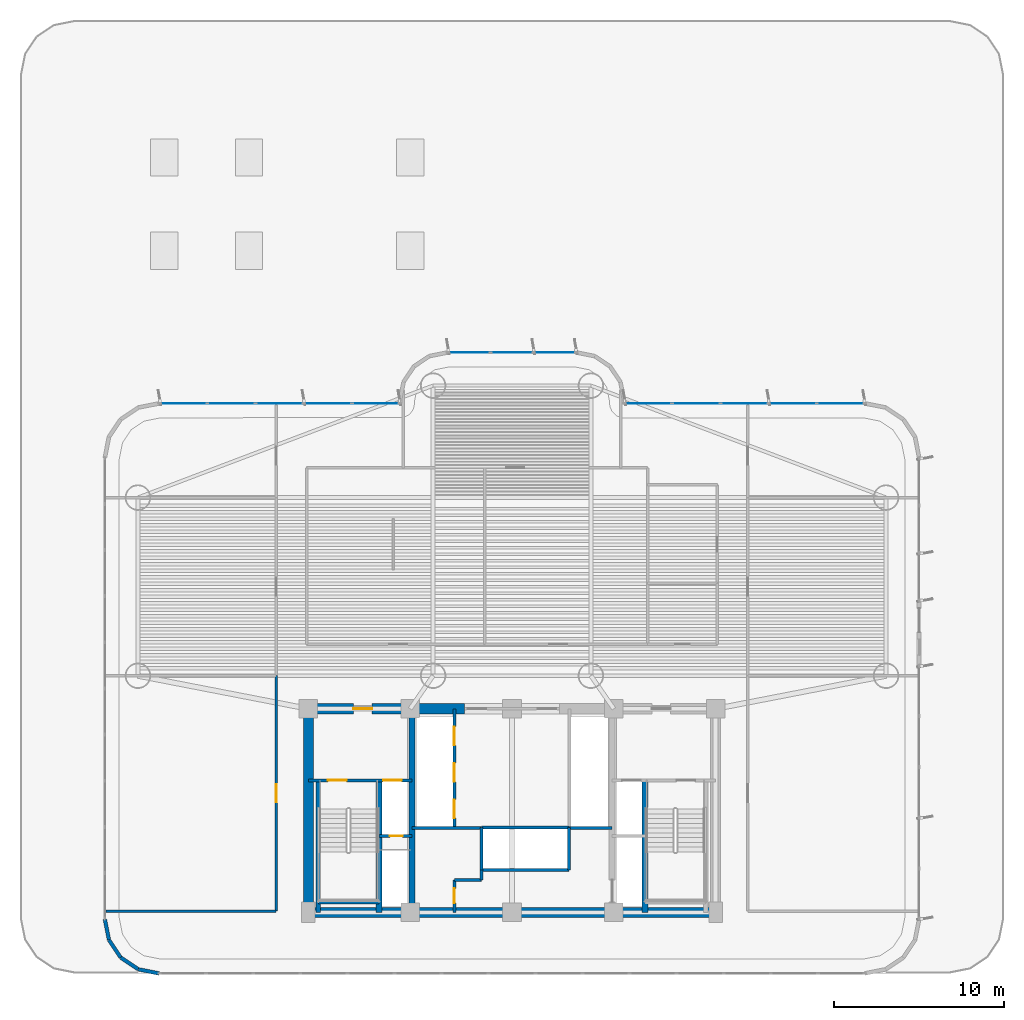
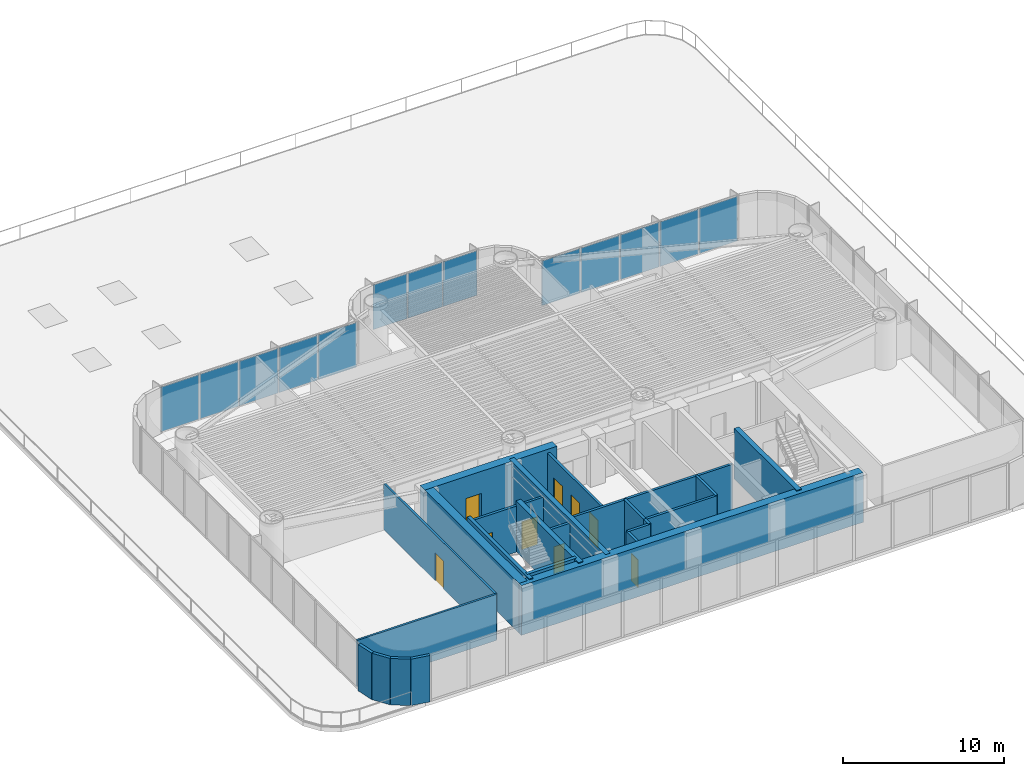
# One storey, part 10 of 17: 26 walls, 13 plates, 9 doors, 9 openings, 3 elements without a shape of their own.
"""IFC4 building model written with IfcOpenShell, lengths in metres."""

from ifc_helpers import new_model, si_unit, direction, frame, frame_2d, origin, origin_2d, place, context, subcontext, project, spatial, rectangle, extrude, source, transform, mapped, material, layer, layer_set, type_object, element, fill, aggregate, save


model = new_model("IFC4")

# Units and contexts
model_context = context("Model", 3, precision=1e-05, world=origin(), true_north=direction((0.0, 1.0)))
body_context = subcontext(model_context, "Body", "Model", "MODEL_VIEW")
ifc_project = project(units=[si_unit("LENGTHUNIT", "METRE"), si_unit("AREAUNIT", "SQUARE_METRE"), si_unit("VOLUMEUNIT", "CUBIC_METRE"), si_unit("PLANEANGLEUNIT", "RADIAN"), si_unit("MASSUNIT", "GRAM", prefix="KILO")], contexts=[model_context])

# Site, building, storey
site_placement = place(None, origin())
site = spatial("IfcSite", under=ifc_project, at=site_placement, CompositionType="ELEMENT")
building_placement = place(site_placement, origin())
building = spatial("IfcBuilding", under=site, at=building_placement, Name="Brelvock Crest Care Tower", CompositionType="ELEMENT")
storey_placement = place(building_placement, frame((0.0, 0.0, 27.0)))
storey = spatial("IfcBuildingStorey", under=building, at=storey_placement, Name="L06", CompositionType="ELEMENT", Elevation=27.0)

# Curtain wall, plates
ifc_material_1 = material(Name="Dark Glass Double Glazed Low-E", Category="glass")
ifc_layer_1 = layer(ifc_material_1, 0.195068359375, Name="CWS-2")
ifc_layer_set_1 = layer_set([ifc_layer_1], Name="Dark Glass Double Glazed Low-E")
curtain_wall_type = type_object("IfcCurtainWallType", Name="CWS-2", PredefinedType="NOTDEFINED", material=ifc_layer_set_1)
curtain_wall_1_placement = place(storey_placement, origin())
curtain_wall_1 = element("IfcCurtainWall", 1, at=curtain_wall_1_placement, inside=storey, type_object=curtain_wall_type, Name="L06 Curtain Wall E18", PredefinedType="NOTDEFINED")
ifc_layer_2 = layer(ifc_material_1, 0.031982421875, Name="CWP-V1")
ifc_layer_set_2 = layer_set([ifc_layer_2], Name="Dark Glass Double Glazed Low-E")
plate_type = type_object("IfcPlateType", Name="CWP-V1", PredefinedType="CURTAIN_PANEL", material=ifc_layer_set_2)
shared_shape_1 = source(origin(), body_context, "Body", "SweptSolid", [
    extrude(rectangle(XDim=2.742431640625, YDim=0.035888671875, at=origin_2d()), origin(), (0.0, 0.0, 1.0), 3.39990234375),
])
plate_1_placement = place(storey_placement, frame((16.63623046875, 36.0, 0.06494140625), z_axis=(0.0, 0.0, 1.0), x_axis=(1.0, 0.0, 0.0)))
plate_1 = element("IfcPlate", 2, at=plate_1_placement, type_object=plate_type, Name="CW-2 panel 1.1", PredefinedType="CURTAIN_PANEL", context=body_context, shape_type="MappedRepresentation", body=[
    mapped(shared_shape_1, transform((0.0, 0.0, 0.0), x_axis=(1.0, 0.0, 0.0), y_axis=(0.0, 1.0, 0.0), z_axis=(0.0, 0.0, 1.0), scale=1.0)),
])
plate_2_placement = place(storey_placement, frame((27.9638671875, 36.0, 0.06494140625), z_axis=(0.0, 0.0, 1.0), x_axis=(1.0, 0.0, 0.0)))
plate_2 = element("IfcPlate", 3, at=plate_2_placement, type_object=plate_type, Name="CW-2 panel 5.1", PredefinedType="CURTAIN_PANEL", context=body_context, shape_type="MappedRepresentation", body=[
    mapped(shared_shape_1, transform((0.0, 0.0, 0.0), x_axis=(1.0, 0.0, 0.0), y_axis=(0.0, 1.0, 0.0), z_axis=(0.0, 0.0, 1.0), scale=1.0)),
])

curtain_wall_2_placement = place(storey_placement, origin())
curtain_wall_2 = element("IfcCurtainWall", 4, at=curtain_wall_2_placement, inside=storey, type_object=curtain_wall_type, Name="L06 Curtain Wall E30", PredefinedType="NOTDEFINED")
plate_3_placement = place(storey_placement, frame((44.0361328125, 36.0, 0.06494140625), z_axis=(0.0, 0.0, 1.0), x_axis=(1.0, 0.0, 0.0)))
plate_3 = element("IfcPlate", 5, at=plate_3_placement, type_object=plate_type, Name="CW-2 panel 1.1", PredefinedType="CURTAIN_PANEL", context=body_context, shape_type="MappedRepresentation", body=[
    mapped(shared_shape_1, transform((0.0, 0.0, 0.0), x_axis=(1.0, 0.0, 0.0), y_axis=(0.0, 1.0, 0.0), z_axis=(0.0, 0.0, 1.0), scale=1.0)),
])
plate_4_placement = place(storey_placement, frame((55.36376953125, 36.0, 0.06494140625), z_axis=(0.0, 0.0, 1.0), x_axis=(1.0, 0.0, 0.0)))
plate_4 = element("IfcPlate", 6, at=plate_4_placement, type_object=plate_type, Name="CW-2 panel 5.1", PredefinedType="CURTAIN_PANEL", context=body_context, shape_type="MappedRepresentation", body=[
    mapped(shared_shape_1, transform((0.0, 0.0, 0.0), x_axis=(1.0, 0.0, 0.0), y_axis=(0.0, 1.0, 0.0), z_axis=(0.0, 0.0, 1.0), scale=1.0)),
])

# Plate
shared_shape_2 = source(origin(), body_context, "Body", "SweptSolid", [
    extrude(rectangle(XDim=2.77490234375, YDim=0.035888671875, at=origin_2d()), origin(), (0.0, 0.0, 1.0), 3.39990234375),
])
plate_5_placement = place(storey_placement, frame((19.4599609375, 36.0, 0.06494140625), z_axis=(0.0, 0.0, 1.0), x_axis=(1.0, 0.0, 0.0)))
plate_5 = element("IfcPlate", 7, at=plate_5_placement, type_object=plate_type, Name="CW-2 panel 2.1", PredefinedType="CURTAIN_PANEL", context=body_context, shape_type="MappedRepresentation", body=[
    mapped(shared_shape_2, transform((0.0, 0.0, 0.0), x_axis=(1.0, 0.0, 0.0), y_axis=(0.0, 1.0, 0.0), z_axis=(0.0, 0.0, 1.0), scale=1.0)),
])

plate_6_placement = place(storey_placement, frame((22.300048828125, 36.0, 0.06494140625), z_axis=(0.0, 0.0, 1.0), x_axis=(1.0, 0.0, 0.0)))
plate_6 = element("IfcPlate", 8, at=plate_6_placement, type_object=plate_type, Name="CW-2 panel 3.1", PredefinedType="CURTAIN_PANEL", context=body_context, shape_type="MappedRepresentation", body=[
    mapped(shared_shape_2, transform((0.0, 0.0, 0.0), x_axis=(1.0, 0.0, 0.0), y_axis=(0.0, 1.0, 0.0), z_axis=(0.0, 0.0, 1.0), scale=1.0)),
])

plate_7_placement = place(storey_placement, frame((25.139892578125, 36.0, 0.06494140625), z_axis=(0.0, 0.0, 1.0), x_axis=(1.0, 0.0, 0.0)))
plate_7 = element("IfcPlate", 9, at=plate_7_placement, type_object=plate_type, Name="CW-2 panel 4.1", PredefinedType="CURTAIN_PANEL", context=body_context, shape_type="MappedRepresentation", body=[
    mapped(shared_shape_2, transform((0.0, 0.0, 0.0), x_axis=(1.0, 0.0, 0.0), y_axis=(0.0, 1.0, 0.0), z_axis=(0.0, 0.0, 1.0), scale=1.0)),
])

aggregate(curtain_wall_1, [plate_1, plate_5, plate_6, plate_7, plate_2])

plate_8_placement = place(storey_placement, frame((46.860107421875, 36.0, 0.06494140625), z_axis=(0.0, 0.0, 1.0), x_axis=(1.0, 0.0, 0.0)))
plate_8 = element("IfcPlate", 10, at=plate_8_placement, type_object=plate_type, Name="CW-2 panel 2.1", PredefinedType="CURTAIN_PANEL", context=body_context, shape_type="MappedRepresentation", body=[
    mapped(shared_shape_2, transform((0.0, 0.0, 0.0), x_axis=(1.0, 0.0, 0.0), y_axis=(0.0, 1.0, 0.0), z_axis=(0.0, 0.0, 1.0), scale=1.0)),
])

plate_9_placement = place(storey_placement, frame((49.699951171875, 36.0, 0.06494140625), z_axis=(0.0, 0.0, 1.0), x_axis=(1.0, 0.0, 0.0)))
plate_9 = element("IfcPlate", 11, at=plate_9_placement, type_object=plate_type, Name="CW-2 panel 3.1", PredefinedType="CURTAIN_PANEL", context=body_context, shape_type="MappedRepresentation", body=[
    mapped(shared_shape_2, transform((0.0, 0.0, 0.0), x_axis=(1.0, 0.0, 0.0), y_axis=(0.0, 1.0, 0.0), z_axis=(0.0, 0.0, 1.0), scale=1.0)),
])

plate_10_placement = place(storey_placement, frame((52.5400390625, 36.0, 0.06494140625), z_axis=(0.0, 0.0, 1.0), x_axis=(1.0, 0.0, 0.0)))
plate_10 = element("IfcPlate", 12, at=plate_10_placement, type_object=plate_type, Name="CW-2 panel 4.1", PredefinedType="CURTAIN_PANEL", context=body_context, shape_type="MappedRepresentation", body=[
    mapped(shared_shape_2, transform((0.0, 0.0, 0.0), x_axis=(1.0, 0.0, 0.0), y_axis=(0.0, 1.0, 0.0), z_axis=(0.0, 0.0, 1.0), scale=1.0)),
])

aggregate(curtain_wall_2, [plate_3, plate_8, plate_9, plate_10, plate_4])

# Curtain wall, plates
curtain_wall_3_placement = place(storey_placement, origin())
curtain_wall_3 = element("IfcCurtainWall", 13, at=curtain_wall_3_placement, inside=storey, type_object=curtain_wall_type, Name="L06 Curtain Wall E24", PredefinedType="NOTDEFINED")
shared_shape_3 = source(origin(), body_context, "Body", "SweptSolid", [
    extrude(rectangle(XDim=2.435791015625, YDim=0.035888671875, at=origin_2d()), origin(), (0.0, 0.0, 1.0), 3.39990234375),
])
plate_11_placement = place(storey_placement, frame((33.48291015625, 39.0, 0.06494140625), z_axis=(0.0, 0.0, 1.0), x_axis=(1.0, 0.0, 0.0)))
plate_11 = element("IfcPlate", 14, at=plate_11_placement, type_object=plate_type, Name="CW-2 panel 1.1", PredefinedType="CURTAIN_PANEL", context=body_context, shape_type="MappedRepresentation", body=[
    mapped(shared_shape_3, transform((0.0, 0.0, 0.0), x_axis=(1.0, 0.0, 0.0), y_axis=(0.0, 1.0, 0.0), z_axis=(0.0, 0.0, 1.0), scale=1.0)),
])
plate_12_placement = place(storey_placement, frame((38.51708984375, 39.0, 0.06494140625), z_axis=(0.0, 0.0, 1.0), x_axis=(1.0, 0.0, 0.0)))
plate_12 = element("IfcPlate", 15, at=plate_12_placement, type_object=plate_type, Name="CW-2 panel 3.1", PredefinedType="CURTAIN_PANEL", context=body_context, shape_type="MappedRepresentation", body=[
    mapped(shared_shape_3, transform((0.0, 0.0, 0.0), x_axis=(1.0, 0.0, 0.0), y_axis=(0.0, 1.0, 0.0), z_axis=(0.0, 0.0, 1.0), scale=1.0)),
])
shared_shape_4 = source(origin(), body_context, "Body", "SweptSolid", [
    extrude(rectangle(XDim=2.46826171875, YDim=0.035888671875, at=origin_2d()), origin(), (0.0, 0.0, 1.0), 3.39990234375),
])
plate_13_placement = place(storey_placement, frame((36.0, 39.0, 0.06494140625), z_axis=(0.0, 0.0, 1.0), x_axis=(1.0, 0.0, 0.0)))
plate_13 = element("IfcPlate", 16, at=plate_13_placement, type_object=plate_type, Name="CW-2 panel 2.1", PredefinedType="CURTAIN_PANEL", context=body_context, shape_type="MappedRepresentation", body=[
    mapped(shared_shape_4, transform((0.0, 0.0, 0.0), x_axis=(1.0, 0.0, 0.0), y_axis=(0.0, 1.0, 0.0), z_axis=(0.0, 0.0, 1.0), scale=1.0)),
])
aggregate(curtain_wall_3, [plate_11, plate_13, plate_12])

# Walls
ifc_material_2 = material(Name="Concrete S80 (80 MPa)", Category="concrete")
ifc_layer_3 = layer(ifc_material_2, 0.60009765625, Name="WL-CS1")
ifc_layer_set_3 = layer_set([ifc_layer_3], Name="Concrete S80 (80 MPa)")
wall_type_1 = type_object("IfcWallType", Name="WL-CS1", PredefinedType="SHEAR", material=ifc_layer_set_3)
wall_1_placement = place(storey_placement, frame((48.300048828125, 6.0, 0.0), z_axis=(0.0, 0.0, 1.0), x_axis=(-1.0, 0.0, 0.0)))
element("IfcWall", 17, at=wall_1_placement, inside=storey, type_object=wall_type_1, Name="L06 Core South Shear Wall", PredefinedType="SHEAR", context=body_context, shape_type="SweptSolid", body=[
    extrude(rectangle(XDim=24.60009765625, YDim=0.60009765625, at=frame_2d((12.300048828125, 0.0))), origin(), (0.0, 0.0, 1.0), 3.780029296875),
])
wall_2_placement = place(storey_placement, frame((24.0, 6.0, 0.0), z_axis=(0.0, 0.0, 1.0), x_axis=(0.0, 1.0, 0.0)))
element("IfcWall", 18, at=wall_2_placement, inside=storey, type_object=wall_type_1, Name="L06 Core West Shear Wall", PredefinedType="SHEAR", context=body_context, shape_type="SweptSolid", body=[
    extrude(rectangle(XDim=12.0, YDim=0.60009765625, at=frame_2d((6.0, 0.0))), origin(), (0.0, 0.0, 1.0), 3.780029296875),
])

# Wall, opening, door
wall_3_placement = place(storey_placement, frame((23.699951171875, 18.0, 0.0), z_axis=(0.0, 0.0, 1.0), x_axis=(1.0, 0.0, 0.0)))
wall_3 = element("IfcWall", 19, at=wall_3_placement, inside=storey, type_object=wall_type_1, Name="L06 Core North-West Shear Wall", PredefinedType="SHEAR", context=body_context, shape_type="SweptSolid", body=[
    extrude(rectangle(XDim=9.5, YDim=0.60009765625, at=frame_2d((4.75, 0.0))), origin(), (0.0, 0.0, 1.0), 3.780029296875),
])
opening_1_placement = place(wall_3_placement, frame((2.949951171875, 0.0, 0.0)))
opening_1 = element("IfcOpeningElement", 20, at=opening_1_placement, cuts=wall_3, Name="Opening FD-1", PredefinedType="OPENING", context=body_context, shape_type="SweptSolid", body=[
    extrude(rectangle(XDim=1.10009765625, YDim=2.10009765625, at=origin_2d()), frame((0.550048828125, 0.31005859375, 1.050048828125), z_axis=(0.0, -1.0, 0.0), x_axis=(1.0, 0.0, 0.0)), (0.0, 0.0, 1.0), 0.6201171875),
])
ifc_material_3 = material(Name="Steel Grade 350", Category="steel")
door_type_1 = type_object("IfcDoorType", Name="DR-FFL1", OperationType="NOTDEFINED", PredefinedType="DOOR", material=ifc_material_3)
shared_shape_5 = source(origin(), body_context, "Body", "SweptSolid", [
    extrude(rectangle(XDim=1.10009765625, YDim=2.10009765625, at=origin_2d()), frame((0.550048828125, 0.02490234375, 1.050048828125), z_axis=(0.0, -1.0, 0.0), x_axis=(1.0, 0.0, 0.0)), (0.0, 0.0, 1.0), 0.050048828125),
])
door_1_placement = place(opening_1_placement, origin())
door_1 = element("IfcDoor", 21, at=door_1_placement, inside=storey, type_object=door_type_1, Name="L06 Firefighting Lobby FFL-1 Exit Door", OperationType="SINGLE_SWING_LEFT", OverallHeight=2.10009765625, OverallWidth=1.10009765625, PredefinedType="DOOR", context=body_context, shape_type="MappedRepresentation", body=[
    mapped(shared_shape_5, transform((0.0, 0.0, 0.0), x_axis=(1.0, 0.0, 0.0), y_axis=(0.0, 1.0, 0.0), z_axis=(0.0, 0.0, 1.0), scale=1.0)),
])
fill(opening_1, door_1)

# Walls
ifc_layer_4 = layer(ifc_material_2, 0.35009765625, Name="WL-CS5")
ifc_layer_set_4 = layer_set([ifc_layer_4], Name="Concrete S80 (80 MPa)")
wall_type_2 = type_object("IfcWallType", Name="WL-CS5", PredefinedType="SHEAR", material=ifc_layer_set_4)
wall_4_placement = place(storey_placement, frame((30.10009765625, 6.0, 0.0), z_axis=(0.0, 0.0, 1.0), x_axis=(0.0, 1.0, 0.0)))
element("IfcWall", 22, at=wall_4_placement, inside=storey, type_object=wall_type_2, Name="L06 Core Internal Web Wall West", PredefinedType="SHEAR", context=body_context, shape_type="SweptSolid", body=[
    extrude(rectangle(XDim=12.0, YDim=0.35009765625, at=frame_2d((6.0, 0.0))), origin(), (0.0, 0.0, 1.0), 3.780029296875),
])
for number, where, z_axis, x_axis, name in (
    (23, (28.14990234375, 6.0, 0.0), (0.0, 0.0, 1.0), (0.0, 1.0, 0.0), "L06 Core Stair ST-1 East Shear Wall"),
    (24, (43.85009765625, 6.0, 0.0), (0.0, 0.0, 1.0), (0.0, 1.0, 0.0), "L06 Core Stair ST-2 West Shear Wall"),
):
    element("IfcWall", number, at=place(storey_placement, frame(where, z_axis=z_axis, x_axis=x_axis)), inside=storey, type_object=wall_type_2, Name=name, PredefinedType="SHEAR", context=body_context, shape_type="SweptSolid", body=[
        extrude(rectangle(XDim=7.780029296875, YDim=0.35009765625, at=frame_2d((3.89013671875, 0.0))), origin(), (0.0, 0.0, 1.0), 3.85009765625),
    ])
ifc_layer_5 = layer(ifc_material_2, 0.25, Name="WL-CS6")
ifc_layer_set_5 = layer_set([ifc_layer_5], Name="Concrete S80 (80 MPa)")
wall_type_3 = type_object("IfcWallType", Name="WL-CS6", PredefinedType="SHEAR", material=ifc_layer_set_5)
wall_5_placement = place(storey_placement, frame((24.580078125, 6.0, 0.0), z_axis=(0.0, 0.0, 1.0), x_axis=(0.0, 1.0, 0.0)))
element("IfcWall", 25, at=wall_5_placement, inside=storey, type_object=wall_type_3, Name="L06 Core Stair ST-1 West Shear Wall", PredefinedType="SHEAR", context=body_context, shape_type="SweptSolid", body=[
    extrude(rectangle(XDim=7.780029296875, YDim=0.25, at=frame_2d((3.89013671875, 0.0))), origin(), (0.0, 0.0, 1.0), 3.85009765625),
])
wall_6_placement = place(storey_placement, frame((24.580078125, 6.6201171875, 0.0), z_axis=(0.0, 0.0, 1.0), x_axis=(1.0, 0.0, 0.0)))
element("IfcWall", 26, at=wall_6_placement, inside=storey, type_object=wall_type_3, Name="L06 Core Stair ST-1 South Shear Wall", PredefinedType="SHEAR", context=body_context, shape_type="SweptSolid", body=[
    extrude(rectangle(XDim=3.56982421875, YDim=0.25, at=frame_2d((1.784912109375, 0.0))), origin(), (0.0, 0.0, 1.0), 3.85009765625),
])
ifc_material_4 = material(Name="Precast concrete N40 (40 MPa)", Category="concrete")
ifc_layer_6 = layer(ifc_material_4, 0.215087890625, Name="WL-EX2")
ifc_layer_set_6 = layer_set([ifc_layer_6], Name="Precast concrete N40 (40 MPa)")
wall_type_4 = type_object("IfcWallType", Name="WL-EX2", PredefinedType="SOLIDWALL", material=ifc_layer_set_6)
for number, where, z_axis, x_axis, name in (
    (27, (15.199951171875, 2.39990234375, 0.0), (0.0, 0.0, 1.0), (-0.980775717779, 0.195138390419, 0.0), "L06 Rounded Corner Wall 09"),
    (28, (13.975341796875, 2.6435546875, 0.0), (0.0, 0.0, 1.0), (-0.831387912822, 0.555692485475, 0.0), "L06 Rounded Corner Wall 10"),
    (29, (12.937255859375, 3.33740234375, 0.0), (0.0, 0.0, 1.0), (-0.555557312883, 0.831478245117, 0.0), "L06 Rounded Corner Wall 11"),
    (30, (12.24365234375, 4.37548828125, 0.0), (0.0, 0.0, 1.0), (-0.195138390419, 0.980775717779, 0.0), "L06 Rounded Corner Wall 12"),
):
    element("IfcWall", number, at=place(storey_placement, frame(where, z_axis=z_axis, x_axis=x_axis)), inside=storey, type_object=wall_type_4, Name=name, PredefinedType="SOLIDWALL", context=body_context, shape_type="SweptSolid", body=[
        extrude(rectangle(XDim=1.24853515625, YDim=0.215087890625, at=frame_2d((0.624267578125, 0.0))), origin(), (0.0, 0.0, 1.0), 3.530029296875),
    ])
ifc_material_5 = material(Name="Masonry Blockwork Acoustic Partition", Category="masonry")
ifc_layer_7 = layer(ifc_material_5, 0.14990234375, Name="WL-INT1")
ifc_layer_set_7 = layer_set([ifc_layer_7], Name="Masonry Blockwork Acoustic Partition")
wall_type_5 = type_object("IfcWallType", Name="WL-INT1", PredefinedType="PARTITIONING", material=ifc_layer_set_7)
wall_7_placement = place(storey_placement, frame((12.080078125, 6.080078125, 0.0), z_axis=(0.0, 0.0, 1.0), x_axis=(1.0, 0.0, 0.0)))
element("IfcWall", 31, at=wall_7_placement, inside=storey, type_object=wall_type_5, Name="L06 Interior Wall WL-BX-L06-WWL1-S", PredefinedType="PARTITIONING", context=body_context, shape_type="SweptSolid", body=[
    extrude(rectangle(XDim=10.02001953125, YDim=0.14990234375, at=frame_2d((5.010009765625, 0.0))), origin(), (0.0, 0.0, 1.0), 3.5),
])

# Wall, opening, door
wall_8_placement = place(storey_placement, frame((22.10009765625, 6.080078125, 0.0), z_axis=(0.0, 0.0, 1.0), x_axis=(0.0, 1.0, 0.0)))
wall_8 = element("IfcWall", 32, at=wall_8_placement, inside=storey, type_object=wall_type_5, Name="L06 Interior Wall WL-RM-L06-WWL1", PredefinedType="PARTITIONING", context=body_context, shape_type="SweptSolid", body=[
    extrude(rectangle(XDim=13.869873046875, YDim=0.14990234375, at=frame_2d((6.93505859375, 0.0))), origin(), (0.0, 0.0, 1.0), 3.5),
])
opening_2_placement = place(wall_8_placement, frame((6.409912109375, 0.0, 0.0)))
opening_2 = element("IfcOpeningElement", 33, at=opening_2_placement, cuts=wall_8, Name="Opening CLD-1", PredefinedType="OPENING", context=body_context, shape_type="SweptSolid", body=[
    extrude(rectangle(XDim=1.050048828125, YDim=2.10009765625, at=origin_2d()), frame((0.52490234375, 0.0849609375, 1.050048828125), z_axis=(0.0, -1.0, 0.0), x_axis=(1.0, 0.0, 0.0)), (0.0, 0.0, 1.0), 0.169921875),
])
ifc_material_6 = material(Name="Engineered Hardwood Timber", Category="wood")
door_type_2 = type_object("IfcDoorType", Name="DR-CLN1", OperationType="NOTDEFINED", PredefinedType="DOOR", material=ifc_material_6)
shared_shape_6 = source(origin(), body_context, "Body", "SweptSolid", [
    extrude(rectangle(XDim=1.050048828125, YDim=2.10009765625, at=origin_2d()), frame((0.52490234375, 0.02490234375, 1.050048828125), z_axis=(0.0, -1.0, 0.0), x_axis=(1.0, 0.0, 0.0)), (0.0, 0.0, 1.0), 0.050048828125),
])
door_2_placement = place(opening_2_placement, origin())
door_2 = element("IfcDoor", 34, at=door_2_placement, inside=storey, type_object=door_type_2, Name="L06 Hydro-Balance Rehabilitation Clinic Door WWL1", OperationType="SINGLE_SWING_LEFT", OverallHeight=2.10009765625, OverallWidth=1.050048828125, PredefinedType="DOOR", context=body_context, shape_type="MappedRepresentation", body=[
    mapped(shared_shape_6, transform((0.0, 0.0, 0.0), x_axis=(1.0, 0.0, 0.0), y_axis=(0.0, 1.0, 0.0), z_axis=(0.0, 0.0, 1.0), scale=1.0)),
])
fill(opening_2, door_2)

# Walls
ifc_layer_8 = layer(ifc_material_5, 0.179931640625, Name="WL-SHF1")
ifc_layer_set_8 = layer_set([ifc_layer_8], Name="Masonry Blockwork Acoustic Partition")
wall_type_6 = type_object("IfcWallType", Name="WL-SHF1", PredefinedType="PARTITIONING", material=ifc_layer_set_8)
for number, where, z_axis, x_axis, name in (
    (35, (34.199951171875, 11.0, 0.0), (0.0, 0.0, 1.0), (1.0, 0.0, 0.0), "L06 Interior Wall WL-PLM-SHF-L06"),
    (36, (34.199951171875, 8.5, 0.0), (0.0, 0.0, 1.0), (1.0, 0.0, 0.0), "L06 Interior Wall WL-PLM-S-L06"),
):
    element("IfcWall", number, at=place(storey_placement, frame(where, z_axis=z_axis, x_axis=x_axis)), inside=storey, type_object=wall_type_6, Name=name, PredefinedType="PARTITIONING", context=body_context, shape_type="SweptSolid", body=[
        extrude(rectangle(XDim=5.150146484375, YDim=0.179931640625, at=frame_2d((2.5751953125, 0.0))), origin(), (0.0, 0.0, 1.0), 3.5),
    ])
for number, where, z_axis, x_axis, name in (
    (37, (34.199951171875, 8.5, 0.0), (0.0, 0.0, 1.0), (0.0, 1.0, 0.0), "L06 Interior Wall WL-PLM-W-L06"),
    (38, (39.35009765625, 8.5, 0.0), (0.0, 0.0, 1.0), (0.0, 1.0, 0.0), "L06 Interior Wall WL-PLM-E-L06"),
):
    element("IfcWall", number, at=place(storey_placement, frame(where, z_axis=z_axis, x_axis=x_axis)), inside=storey, type_object=wall_type_6, Name=name, PredefinedType="PARTITIONING", context=body_context, shape_type="SweptSolid", body=[
        extrude(rectangle(XDim=2.5, YDim=0.179931640625, at=frame_2d((1.25, 0.0))), origin(), (0.0, 0.0, 1.0), 3.5),
    ])
wall_9_placement = place(storey_placement, frame((30.10009765625, 10.97998046875, 0.0), z_axis=(0.0, 0.0, 1.0), x_axis=(1.0, 0.0, 0.0)))
element("IfcWall", 39, at=wall_9_placement, inside=storey, type_object=wall_type_6, Name="L06 Interior Wall WL-CSBW-N-L06", PredefinedType="PARTITIONING", context=body_context, shape_type="SweptSolid", body=[
    extrude(rectangle(XDim=4.079833984375, YDim=0.179931640625, at=frame_2d((2.0400390625, 0.0))), origin(), (0.0, 0.0, 1.0), 3.5),
])
wall_10_placement = place(storey_placement, frame((34.199951171875, 7.89990234375, 0.0), z_axis=(0.0, 0.0, 1.0), x_axis=(0.0, 1.0, 0.0)))
element("IfcWall", 40, at=wall_10_placement, inside=storey, type_object=wall_type_6, Name="L06 Interior Wall WL-CSBW-E2-L06", PredefinedType="PARTITIONING", context=body_context, shape_type="SweptSolid", body=[
    extrude(rectangle(XDim=0.60009765625, YDim=0.179931640625, at=frame_2d((0.300048828125, 0.0))), origin(), (0.0, 0.0, 1.0), 3.5),
])
wall_11_placement = place(storey_placement, frame((32.60009765625, 7.89990234375, 0.0), z_axis=(0.0, 0.0, 1.0), x_axis=(1.0, 0.0, 0.0)))
element("IfcWall", 41, at=wall_11_placement, inside=storey, type_object=wall_type_6, Name="L06 Interior Wall WL-CSBW-S2-L06", PredefinedType="PARTITIONING", context=body_context, shape_type="SweptSolid", body=[
    extrude(rectangle(XDim=1.599853515625, YDim=0.179931640625, at=frame_2d((0.7998046875, 0.0))), origin(), (0.0, 0.0, 1.0), 3.5),
])

# Wall, opening, door
wall_12_placement = place(storey_placement, frame((32.60009765625, 6.0, 0.0), z_axis=(0.0, 0.0, 1.0), x_axis=(0.0, 1.0, 0.0)))
wall_12 = element("IfcWall", 42, at=wall_12_placement, inside=storey, type_object=wall_type_6, Name="L06 Interior Wall WL-CSBW-E1-L06", PredefinedType="PARTITIONING", context=body_context, shape_type="SweptSolid", body=[
    extrude(rectangle(XDim=1.89990234375, YDim=0.179931640625, at=frame_2d((0.949951171875, 0.0))), origin(), (0.0, 0.0, 1.0), 3.5),
])
opening_3_placement = place(wall_12_placement, frame((0.550048828125, 0.0, 0.0)))
opening_3 = element("IfcOpeningElement", 43, at=opening_3_placement, cuts=wall_12, Name="Opening ID-1", PredefinedType="OPENING", context=body_context, shape_type="SweptSolid", body=[
    extrude(rectangle(XDim=0.860107421875, YDim=2.10009765625, at=origin_2d()), frame((0.43017578125, 0.10009765625, 1.050048828125), z_axis=(0.0, -1.0, 0.0), x_axis=(1.0, 0.0, 0.0)), (0.0, 0.0, 1.0), 0.199951171875),
])
door_type_3 = type_object("IfcDoorType", Name="DR-INT1", OperationType="NOTDEFINED", PredefinedType="DOOR", material=ifc_material_6)
shared_shape_7 = source(origin(), body_context, "Body", "SweptSolid", [
    extrude(rectangle(XDim=0.860107421875, YDim=2.10009765625, at=origin_2d()), frame((0.43017578125, 0.02490234375, 1.050048828125), z_axis=(0.0, -1.0, 0.0), x_axis=(1.0, 0.0, 0.0)), (0.0, 0.0, 1.0), 0.050048828125),
])
door_3_placement = place(opening_3_placement, origin())
door_3 = element("IfcDoor", 44, at=door_3_placement, inside=storey, type_object=door_type_3, Name="DR-CSBW-L06", OperationType="SINGLE_SWING_LEFT", OverallHeight=2.10009765625, OverallWidth=0.860107421875, PredefinedType="DOOR", context=body_context, shape_type="MappedRepresentation", body=[
    mapped(shared_shape_7, transform((0.0, 0.0, 0.0), x_axis=(1.0, 0.0, 0.0), y_axis=(0.0, 1.0, 0.0), z_axis=(0.0, 0.0, 1.0), scale=1.0)),
])
fill(opening_3, door_3)

# Wall
wall_13_placement = place(storey_placement, frame((39.35009765625, 10.97998046875, 0.0), z_axis=(0.0, 0.0, 1.0), x_axis=(1.0, 0.0, 0.0)))
element("IfcWall", 45, at=wall_13_placement, inside=storey, type_object=wall_type_6, Name="L06 Interior Wall WL-CSBE-N-L06", PredefinedType="PARTITIONING", context=body_context, shape_type="SweptSolid", body=[
    extrude(rectangle(XDim=2.5498046875, YDim=0.179931640625, at=frame_2d((1.27490234375, 0.0))), origin(), (0.0, 0.0, 1.0), 3.5),
])

# Wall, openings, doors
wall_14_placement = place(storey_placement, frame((24.0, 13.780029296875, 0.0), z_axis=(0.0, 0.0, 1.0), x_axis=(1.0, 0.0, 0.0)))
wall_14 = element("IfcWall", 46, at=wall_14_placement, inside=storey, type_object=wall_type_6, Name="L06 Interior Wall WL-ST1-N-L06", PredefinedType="PARTITIONING", context=body_context, shape_type="SweptSolid", body=[
    extrude(rectangle(XDim=6.10009765625, YDim=0.179931640625, at=frame_2d((3.050048828125, 0.0))), origin(), (0.0, 0.0, 1.0), 3.5),
])
opening_4_placement = place(wall_14_placement, frame((1.14990234375, 0.0, 0.0)))
opening_4 = element("IfcOpeningElement", 47, at=opening_4_placement, cuts=wall_14, Name="Opening SD-1", PredefinedType="OPENING", context=body_context, shape_type="SweptSolid", body=[
    extrude(rectangle(XDim=1.10009765625, YDim=2.10009765625, at=origin_2d()), frame((0.550048828125, 0.10009765625, 1.050048828125), z_axis=(0.0, -1.0, 0.0), x_axis=(1.0, 0.0, 0.0)), (0.0, 0.0, 1.0), 0.199951171875),
])
opening_5_placement = place(wall_14_placement, frame((4.39990234375, 0.0, 0.0)))
opening_5 = element("IfcOpeningElement", 48, at=opening_5_placement, cuts=wall_14, Name="Opening LD", PredefinedType="OPENING", context=body_context, shape_type="SweptSolid", body=[
    extrude(rectangle(XDim=1.10009765625, YDim=2.10009765625, at=origin_2d()), frame((0.550048828125, 0.10009765625, 1.050048828125), z_axis=(0.0, -1.0, 0.0), x_axis=(1.0, 0.0, 0.0)), (0.0, 0.0, 1.0), 0.199951171875),
])
door_type_4 = type_object("IfcDoorType", Name="DR-ST1", OperationType="NOTDEFINED", PredefinedType="DOOR", material=ifc_material_3)
shared_shape_8 = source(origin(), body_context, "Body", "SweptSolid", [
    extrude(rectangle(XDim=1.10009765625, YDim=2.10009765625, at=origin_2d()), frame((0.550048828125, 0.02490234375, 1.050048828125), z_axis=(0.0, -1.0, 0.0), x_axis=(1.0, 0.0, 0.0)), (0.0, 0.0, 1.0), 0.050048828125),
])
door_4_placement = place(opening_4_placement, origin())
door_4 = element("IfcDoor", 49, at=door_4_placement, inside=storey, type_object=door_type_4, Name="L06 Fire Stair ST-1 Door", OperationType="SINGLE_SWING_LEFT", OverallHeight=2.10009765625, OverallWidth=1.10009765625, PredefinedType="DOOR", context=body_context, shape_type="MappedRepresentation", body=[
    mapped(shared_shape_8, transform((0.0, 0.0, 0.0), x_axis=(1.0, 0.0, 0.0), y_axis=(0.0, 1.0, 0.0), z_axis=(0.0, 0.0, 1.0), scale=1.0)),
])
fill(opening_4, door_4)
door_type_5 = type_object("IfcDoorType", Name="DR-LD1", OperationType="NOTDEFINED", PredefinedType="DOOR", material=ifc_material_3)
shared_shape_9 = source(origin(), body_context, "Body", "SweptSolid", [
    extrude(rectangle(XDim=1.10009765625, YDim=2.10009765625, at=origin_2d()), frame((0.550048828125, 0.02490234375, 1.050048828125), z_axis=(0.0, -1.0, 0.0), x_axis=(1.0, 0.0, 0.0)), (0.0, 0.0, 1.0), 0.050048828125),
])
door_5_placement = place(opening_5_placement, origin())
door_5 = element("IfcDoor", 50, at=door_5_placement, inside=storey, type_object=door_type_5, Name="L06 Firefighting Lift FFL-1 Landing Door", OperationType="SLIDING_TO_LEFT", OverallHeight=2.10009765625, OverallWidth=1.10009765625, PredefinedType="DOOR", context=body_context, shape_type="MappedRepresentation", body=[
    mapped(shared_shape_9, transform((0.0, 0.0, 0.0), x_axis=(1.0, 0.0, 0.0), y_axis=(0.0, 1.0, 0.0), z_axis=(0.0, 0.0, 1.0), scale=1.0)),
])
fill(opening_5, door_5)

# Wall, opening, door
wall_15_placement = place(storey_placement, frame((28.14990234375, 10.5, 0.0), z_axis=(0.0, 0.0, 1.0), x_axis=(1.0, 0.0, 0.0)))
wall_15 = element("IfcWall", 51, at=wall_15_placement, inside=storey, type_object=wall_type_6, Name="L06 Interior Wall WL-FFH1-S-L06", PredefinedType="PARTITIONING", context=body_context, shape_type="SweptSolid", body=[
    extrude(rectangle(XDim=1.9501953125, YDim=0.179931640625, at=frame_2d((0.97509765625, 0.0))), origin(), (0.0, 0.0, 1.0), 3.5),
])
opening_6_placement = place(wall_15_placement, frame((0.64990234375, 0.0, 0.0)))
opening_6 = element("IfcOpeningElement", 52, at=opening_6_placement, cuts=wall_15, Name="Opening RD-1", PredefinedType="OPENING", context=body_context, shape_type="SweptSolid", body=[
    extrude(rectangle(XDim=0.760009765625, YDim=2.050048828125, at=origin_2d()), frame((0.3798828125, 0.10009765625, 1.02490234375), z_axis=(0.0, -1.0, 0.0), x_axis=(1.0, 0.0, 0.0)), (0.0, 0.0, 1.0), 0.199951171875),
])
door_type_6 = type_object("IfcDoorType", Name="DR-RIS1", OperationType="NOTDEFINED", PredefinedType="DOOR", material=ifc_material_3)
shared_shape_10 = source(origin(), body_context, "Body", "SweptSolid", [
    extrude(rectangle(XDim=0.760009765625, YDim=2.050048828125, at=origin_2d()), frame((0.3798828125, 0.02490234375, 1.02490234375), z_axis=(0.0, -1.0, 0.0), x_axis=(1.0, 0.0, 0.0)), (0.0, 0.0, 1.0), 0.050048828125),
])
door_6_placement = place(opening_6_placement, origin())
door_6 = element("IfcDoor", 53, at=door_6_placement, inside=storey, type_object=door_type_6, Name="L06 Wet Fire Riser Access Door", OperationType="SINGLE_SWING_LEFT", OverallHeight=2.050048828125, OverallWidth=0.760009765625, PredefinedType="DOOR", context=body_context, shape_type="MappedRepresentation", body=[
    mapped(shared_shape_10, transform((0.0, 0.0, 0.0), x_axis=(1.0, 0.0, 0.0), y_axis=(0.0, 1.0, 0.0), z_axis=(0.0, 0.0, 1.0), scale=1.0)),
])
fill(opening_6, door_6)

# Wall, openings, doors
wall_16_placement = place(storey_placement, frame((32.60009765625, 11.0, 0.0), z_axis=(0.0, 0.0, 1.0), x_axis=(0.0, 1.0, 0.0)))
wall_16 = element("IfcWall", 54, at=wall_16_placement, inside=storey, type_object=wall_type_6, Name="L06 Interior Wall WL-PLL-BANK-L06", PredefinedType="PARTITIONING", context=body_context, shape_type="SweptSolid", body=[
    extrude(rectangle(XDim=7.0, YDim=0.179931640625, at=frame_2d((3.5, 0.0))), origin(), (0.0, 0.0, 1.0), 3.5),
])
opening_7_placement = place(wall_16_placement, frame((0.550048828125, 0.0, 0.0)))
opening_7 = element("IfcOpeningElement", 55, at=opening_7_placement, cuts=wall_16, Name="Opening LD", PredefinedType="OPENING", context=body_context, shape_type="SweptSolid", body=[
    extrude(rectangle(XDim=1.10009765625, YDim=2.10009765625, at=origin_2d()), frame((0.550048828125, 0.10009765625, 1.050048828125), z_axis=(0.0, -1.0, 0.0), x_axis=(1.0, 0.0, 0.0)), (0.0, 0.0, 1.0), 0.199951171875),
])
opening_8_placement = place(wall_16_placement, frame((2.699951171875, 0.0, 0.0)))
opening_8 = element("IfcOpeningElement", 56, at=opening_8_placement, cuts=wall_16, Name="Opening LD", PredefinedType="OPENING", context=body_context, shape_type="SweptSolid", body=[
    extrude(rectangle(XDim=1.10009765625, YDim=2.10009765625, at=origin_2d()), frame((0.550048828125, 0.10009765625, 1.050048828125), z_axis=(0.0, -1.0, 0.0), x_axis=(1.0, 0.0, 0.0)), (0.0, 0.0, 1.0), 0.199951171875),
])
opening_9_placement = place(wall_16_placement, frame((4.85009765625, 0.0, 0.0)))
opening_9 = element("IfcOpeningElement", 57, at=opening_9_placement, cuts=wall_16, Name="Opening LD", PredefinedType="OPENING", context=body_context, shape_type="SweptSolid", body=[
    extrude(rectangle(XDim=1.10009765625, YDim=2.10009765625, at=origin_2d()), frame((0.550048828125, 0.10009765625, 1.050048828125), z_axis=(0.0, -1.0, 0.0), x_axis=(1.0, 0.0, 0.0)), (0.0, 0.0, 1.0), 0.199951171875),
])
door_7_placement = place(opening_7_placement, origin())
door_7 = element("IfcDoor", 58, at=door_7_placement, inside=storey, type_object=door_type_5, Name="L06 Lift PL-L1 Landing Door", OperationType="SLIDING_TO_LEFT", OverallHeight=2.10009765625, OverallWidth=1.10009765625, PredefinedType="DOOR", context=body_context, shape_type="MappedRepresentation", body=[
    mapped(shared_shape_9, transform((0.0, 0.0, 0.0), x_axis=(1.0, 0.0, 0.0), y_axis=(0.0, 1.0, 0.0), z_axis=(0.0, 0.0, 1.0), scale=1.0)),
])
fill(opening_7, door_7)
door_8_placement = place(opening_8_placement, origin())
door_8 = element("IfcDoor", 59, at=door_8_placement, inside=storey, type_object=door_type_5, Name="L06 Lift PL-L2 Landing Door", OperationType="SLIDING_TO_LEFT", OverallHeight=2.10009765625, OverallWidth=1.10009765625, PredefinedType="DOOR", context=body_context, shape_type="MappedRepresentation", body=[
    mapped(shared_shape_9, transform((0.0, 0.0, 0.0), x_axis=(1.0, 0.0, 0.0), y_axis=(0.0, 1.0, 0.0), z_axis=(0.0, 0.0, 1.0), scale=1.0)),
])
fill(opening_8, door_8)
door_9_placement = place(opening_9_placement, origin())
door_9 = element("IfcDoor", 60, at=door_9_placement, inside=storey, type_object=door_type_5, Name="L06 Lift PL-L3 Landing Door", OperationType="SLIDING_TO_LEFT", OverallHeight=2.10009765625, OverallWidth=1.10009765625, PredefinedType="DOOR", context=body_context, shape_type="MappedRepresentation", body=[
    mapped(shared_shape_9, transform((0.0, 0.0, 0.0), x_axis=(1.0, 0.0, 0.0), y_axis=(0.0, 1.0, 0.0), z_axis=(0.0, 0.0, 1.0), scale=1.0)),
])
fill(opening_9, door_9)

save(model, "model.ifc")
